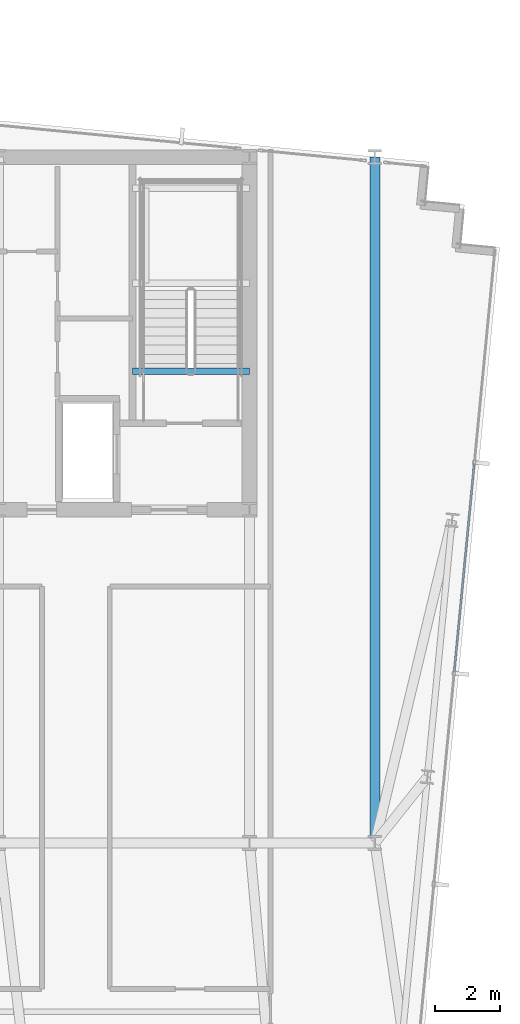
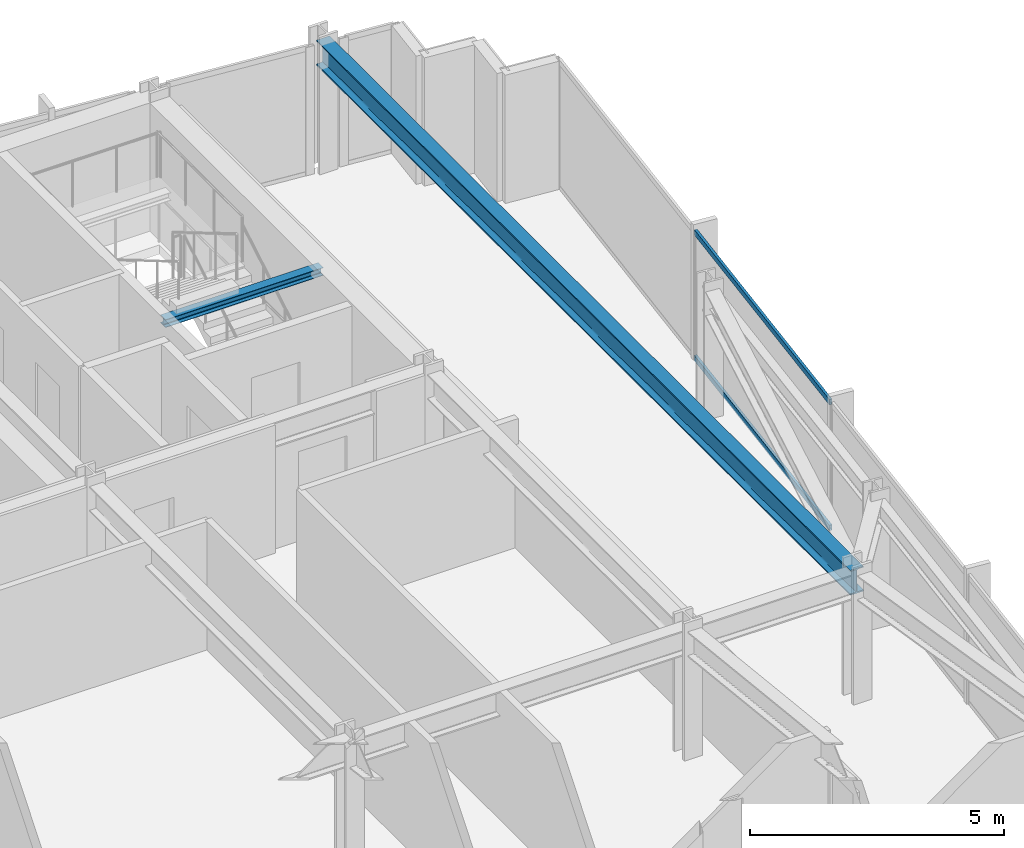
# One storey, part 19 of 36: 2 beams, 2 members, 1 element without a shape of its own.
"""IFC4 building model written with IfcOpenShell, lengths in metres."""

from ifc_helpers import new_model, si_unit, direction, frame, origin, origin_2d, place, context, subcontext, project, spatial, hollow_rectangle, i_section, extrude, material, material_profile, profile_set, type_object, element, aggregate, save


model = new_model("IFC4")

# Units and contexts
model_context = context("Model", 3, precision=1e-05, world=origin(), true_north=direction((0.0, 1.0)))
body_context = subcontext(model_context, "Body", "Model", "MODEL_VIEW")
ifc_project = project(units=[si_unit("LENGTHUNIT", "METRE"), si_unit("AREAUNIT", "SQUARE_METRE"), si_unit("VOLUMEUNIT", "CUBIC_METRE"), si_unit("PLANEANGLEUNIT", "RADIAN"), si_unit("MASSUNIT", "GRAM", prefix="KILO")], contexts=[model_context])

# Site, building, storey
site_placement = place(None, origin())
site = spatial("IfcSite", under=ifc_project, at=site_placement, CompositionType="ELEMENT")
building_placement = place(site_placement, origin())
building = spatial("IfcBuilding", under=site, at=building_placement, Name="Yelkora Congress Tower", CompositionType="ELEMENT")
storey_placement = place(building_placement, frame((0.0, 0.0, 152.300048828125)))
storey = spatial("IfcBuildingStorey", under=building, at=storey_placement, Name="L41", CompositionType="ELEMENT", Elevation=152.300048828125)

# Beams
ifc_material_1 = material(Name="Steel S355J2", Category="steel")
ifc_material_profile_1 = material_profile(ifc_material_1, i_section(OverallWidth=0.300048828125, OverallDepth=0.60009765625, WebThickness=0.015380859375, FlangeThickness=0.030029296875, FilletRadius=0.027099609375, at=origin_2d()), Name="HEB 600")
ifc_profile_set_1 = profile_set([ifc_material_profile_1], Name="Steel S355J2")
beam_type_1 = type_object("IfcBeamType", Name="BM-GIRD-HEB600", PredefinedType="BEAM", material=ifc_profile_set_1)
beam_1_placement = place(storey_placement, frame((57.60009765625, 25.199951171875, 2.780029296875), z_axis=(0.0, 1.0, 0.0), x_axis=(-1.0, 0.0, 0.0)))
element("IfcBeam", 1, at=beam_1_placement, inside=storey, type_object=beam_type_1, Name="L41 Neck Flank Girder MC-F2", PredefinedType="BEAM", context=body_context, shape_type="SweptSolid", body=[
    extrude(i_section(OverallWidth=0.300048828125, OverallDepth=0.60009765625, WebThickness=0.015380859375, FlangeThickness=0.030029296875, FilletRadius=0.027099609375, at=origin_2d()), origin(), (0.0, 0.0, 1.0), 21.0),
])
ifc_material_profile_2 = material_profile(ifc_material_1, i_section(OverallWidth=0.199951171875, OverallDepth=0.18994140625, WebThickness=0.006591796875, FlangeThickness=0.010009765625, FilletRadius=0.01806640625, at=origin_2d()), Name="HEA 200")
ifc_profile_set_2 = profile_set([ifc_material_profile_2], Name="Steel S355J2")
beam_type_2 = type_object("IfcBeamType", Name="BM-LAND-HEA200", PredefinedType="BEAM", material=ifc_profile_set_2)
beam_2_placement = place(storey_placement, frame((50.179931640625, 39.639892578125, 2.853759765625), z_axis=(1.0, 0.0, 0.0), x_axis=(0.0, 1.0, 0.0)))
element("IfcBeam", 2, at=beam_2_placement, inside=storey, type_object=beam_type_2, Name="ST-02 L41 Floor Arrival Stringer Header Beam", PredefinedType="BEAM", context=body_context, shape_type="SweptSolid", body=[
    extrude(i_section(OverallWidth=0.199951171875, OverallDepth=0.18994140625, WebThickness=0.006591796875, FlangeThickness=0.010009765625, FilletRadius=0.01806640625, at=origin_2d()), origin(), (0.0, 0.0, 1.0), 3.580078125),
])

# Curtain wall, members
ifc_material_2 = material(Name="Anodised aluminium and insulated glass", Category="aluminium")
curtain_wall_type = type_object("IfcCurtainWallType", Name="CW-SYS-B3", PredefinedType="NOTDEFINED", material=ifc_material_2)
curtain_wall_placement = place(storey_placement, origin())
curtain_wall = element("IfcCurtainWall", 3, at=curtain_wall_placement, inside=storey, type_object=curtain_wall_type, Name="L41 Unitised Curtain Wall 15", PredefinedType="NOTDEFINED")
ifc_material_3 = material(Name="Anodised aluminium 6063-T6", Category="aluminium")
ifc_material_profile_3 = material_profile(ifc_material_3, hollow_rectangle(XDim=0.06005859375, YDim=0.1298828125, WallThickness=0.00390625, at=origin_2d()), Name="ALU 60x130x4")
ifc_profile_set_3 = profile_set([ifc_material_profile_3], Name="Anodised aluminium 6063-T6")
member_type = type_object("IfcMemberType", Name="MEM-TR-B3", PredefinedType="USERDEFINED", material=ifc_profile_set_3)
member_1_placement = place(storey_placement, frame((60.642822265625, 36.81494140625, 0.030029296875), z_axis=(-0.095843682057, -0.995396397728, 0.0), x_axis=(0.995396397728, -0.095843682057, 0.0)))
member_1 = element("IfcMember", 4, at=member_1_placement, type_object=member_type, Name="CW-B3 transom 2.1", ObjectType="TRANSOM", PredefinedType="USERDEFINED", context=body_context, shape_type="SweptSolid", body=[
    extrude(hollow_rectangle(XDim=0.06005859375, YDim=0.1298828125, WallThickness=0.00390625, at=origin_2d()), origin(), (0.0, 0.0, 1.0), 6.4140625),
])
member_2_placement = place(storey_placement, frame((60.642822265625, 36.81494140625, 3.050048828125), z_axis=(-0.095843682057, -0.995396397728, 0.0), x_axis=(0.995396397728, -0.095843682057, 0.0)))
member_2 = element("IfcMember", 5, at=member_2_placement, type_object=member_type, Name="CW-B3 transom 2.2", ObjectType="TRANSOM", PredefinedType="USERDEFINED", context=body_context, shape_type="SweptSolid", body=[
    extrude(hollow_rectangle(XDim=0.06005859375, YDim=0.1298828125, WallThickness=0.00390625, at=origin_2d()), origin(), (0.0, 0.0, 1.0), 6.4140625),
])
aggregate(curtain_wall, [member_1, member_2])

save(model, "model.ifc")
